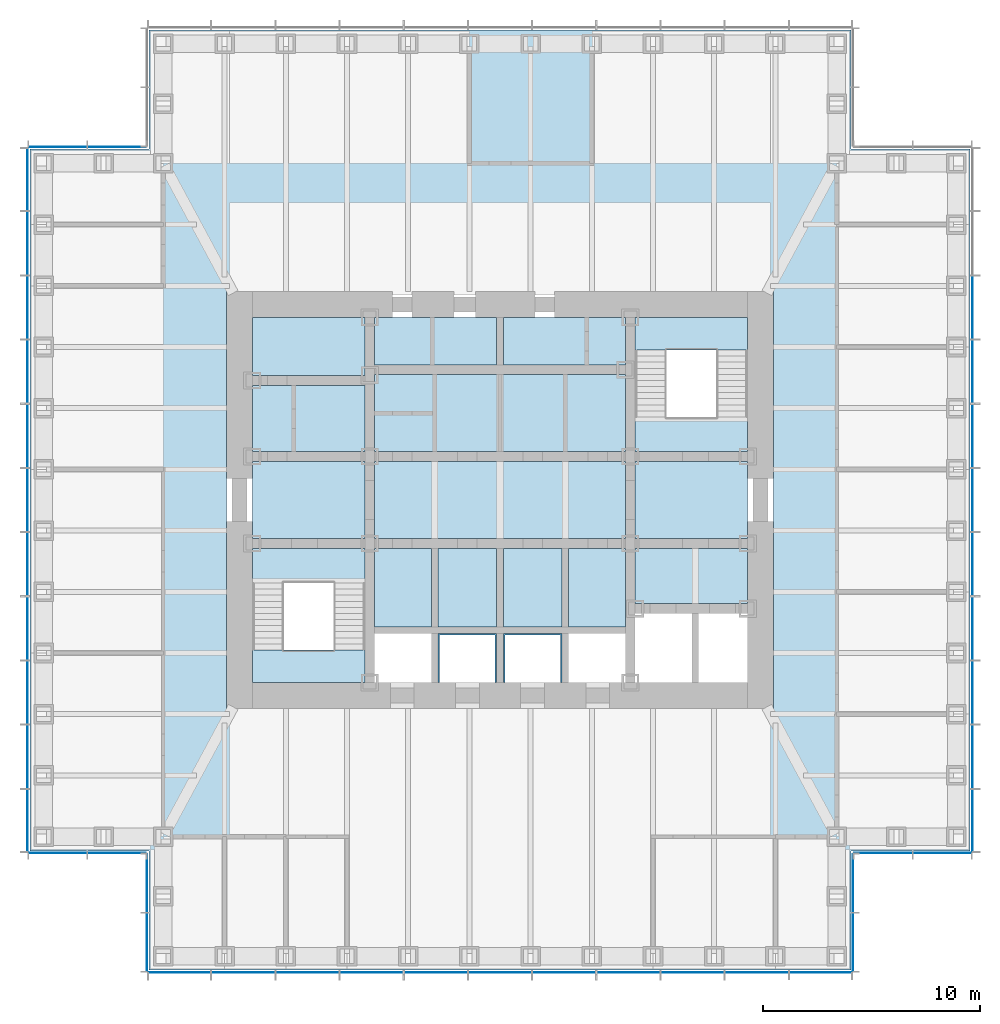
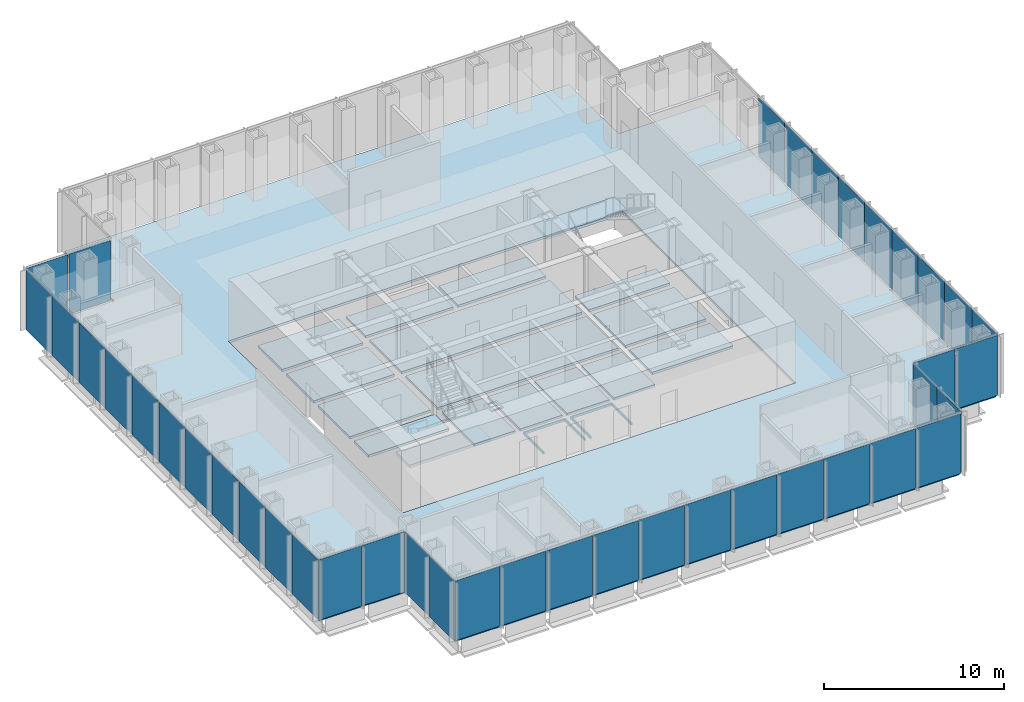
# One storey, part 7 of 16: 41 plates, 20 slabs, 10 elements without a shape of their own.
"""IFC4 building model written with IfcOpenShell, lengths in metres."""

from ifc_helpers import new_model, si_unit, direction, frame, origin, origin_2d, place, context, subcontext, project, spatial, polyline, rectangle, outline, extrude, material, layer, layer_set, type_object, element, aggregate, save


model = new_model("IFC4")

# Units and contexts
model_context = context("Model", 3, precision=1e-05, world=origin(), true_north=direction((0.0, 1.0)))
body_context = subcontext(model_context, "Body", "Model", "MODEL_VIEW")
ifc_project = project(units=[si_unit("LENGTHUNIT", "METRE"), si_unit("AREAUNIT", "SQUARE_METRE"), si_unit("VOLUMEUNIT", "CUBIC_METRE"), si_unit("PLANEANGLEUNIT", "RADIAN"), si_unit("MASSUNIT", "GRAM", prefix="KILO")], contexts=[model_context])

# Site, building, storey
site_placement = place(None, origin())
site = spatial("IfcSite", under=ifc_project, at=site_placement, CompositionType="ELEMENT")
building_placement = place(site_placement, origin())
building = spatial("IfcBuilding", under=site, at=building_placement, Name="Daluyong Arena Tower", CompositionType="ELEMENT")
storey_placement = place(building_placement, frame((0.0, 0.0, 198.10009765625)))
storey = spatial("IfcBuildingStorey", under=building, at=storey_placement, Name="L44", CompositionType="ELEMENT", Elevation=198.10009765625)

# Curtain wall, plates
ifc_material_1 = material(Name="Bronze anodised aluminium and glass", Category="aluminium")
curtain_wall_type_1 = type_object("IfcCurtainWallType", Name="Curtain wall CW3", PredefinedType="USERDEFINED", material=ifc_material_1)
curtain_wall_1_placement = place(storey_placement, origin())
curtain_wall_1 = element("IfcCurtainWall", 1, at=curtain_wall_1_placement, inside=storey, type_object=curtain_wall_type_1, Name="curtain wall L44 S", ObjectType="UNITISED CURTAIN WALL", PredefinedType="USERDEFINED")
ifc_material_2 = material(Name="Tinted double glazed unit", Category="glass")
ifc_layer_1 = layer(ifc_material_2, 0.030029296875)
ifc_layer_set_1 = layer_set([ifc_layer_1], Name="Tinted double glazed unit")
plate_type_1 = type_object("IfcPlateType", Name="CW3 panel 30", PredefinedType="CURTAIN_PANEL", material=ifc_layer_set_1)
plate_1_placement = place(storey_placement, frame((41.244873046875, 58.25, 0.0), z_axis=(0.0, 0.0, 1.0), x_axis=(1.0, 0.0, 0.0)))
plate_1 = element("IfcPlate", 2, at=plate_1_placement, type_object=plate_type_1, Name="curtain wall L44 S panel 1", PredefinedType="CURTAIN_PANEL", context=body_context, shape_type="SweptSolid", body=[
    extrude(rectangle(XDim=2.849609375, YDim=0.030029296875, at=origin_2d()), origin(), (0.0, 0.0, 1.0), 4.0400390625),
])
plate_2_placement = place(storey_placement, frame((44.181884765625, 58.25, 0.0), z_axis=(0.0, 0.0, 1.0), x_axis=(1.0, 0.0, 0.0)))
plate_2 = element("IfcPlate", 3, at=plate_2_placement, type_object=plate_type_1, Name="curtain wall L44 S panel 2", PredefinedType="CURTAIN_PANEL", context=body_context, shape_type="SweptSolid", body=[
    extrude(rectangle(XDim=2.884521484375, YDim=0.030029296875, at=origin_2d()), origin(), (0.0, 0.0, 1.0), 4.0400390625),
])
plate_3_placement = place(storey_placement, frame((47.136474609375, 58.25, 0.0), z_axis=(0.0, 0.0, 1.0), x_axis=(1.0, 0.0, 0.0)))
plate_3 = element("IfcPlate", 4, at=plate_3_placement, type_object=plate_type_1, Name="curtain wall L44 S panel 3", PredefinedType="CURTAIN_PANEL", context=body_context, shape_type="SweptSolid", body=[
    extrude(rectangle(XDim=2.884521484375, YDim=0.030029296875, at=origin_2d()), origin(), (0.0, 0.0, 1.0), 4.0400390625),
])
plate_4_placement = place(storey_placement, frame((50.0908203125, 58.25, 0.0), z_axis=(0.0, 0.0, 1.0), x_axis=(1.0, 0.0, 0.0)))
plate_4 = element("IfcPlate", 5, at=plate_4_placement, type_object=plate_type_1, Name="curtain wall L44 S panel 4", PredefinedType="CURTAIN_PANEL", context=body_context, shape_type="SweptSolid", body=[
    extrude(rectangle(XDim=2.884521484375, YDim=0.030029296875, at=origin_2d()), origin(), (0.0, 0.0, 1.0), 4.0400390625),
])
plate_5_placement = place(storey_placement, frame((53.04541015625, 58.25, 0.0), z_axis=(0.0, 0.0, 1.0), x_axis=(1.0, 0.0, 0.0)))
plate_5 = element("IfcPlate", 6, at=plate_5_placement, type_object=plate_type_1, Name="curtain wall L44 S panel 5", PredefinedType="CURTAIN_PANEL", context=body_context, shape_type="SweptSolid", body=[
    extrude(rectangle(XDim=2.884521484375, YDim=0.030029296875, at=origin_2d()), origin(), (0.0, 0.0, 1.0), 4.0400390625),
])
plate_6_placement = place(storey_placement, frame((56.0, 58.25, 0.0), z_axis=(0.0, 0.0, 1.0), x_axis=(1.0, 0.0, 0.0)))
plate_6 = element("IfcPlate", 7, at=plate_6_placement, type_object=plate_type_1, Name="curtain wall L44 S panel 6", PredefinedType="CURTAIN_PANEL", context=body_context, shape_type="SweptSolid", body=[
    extrude(rectangle(XDim=2.884521484375, YDim=0.030029296875, at=origin_2d()), origin(), (0.0, 0.0, 1.0), 4.0400390625),
])
plate_7_placement = place(storey_placement, frame((58.95458984375, 58.25, 0.0), z_axis=(0.0, 0.0, 1.0), x_axis=(1.0, 0.0, 0.0)))
plate_7 = element("IfcPlate", 8, at=plate_7_placement, type_object=plate_type_1, Name="curtain wall L44 S panel 7", PredefinedType="CURTAIN_PANEL", context=body_context, shape_type="SweptSolid", body=[
    extrude(rectangle(XDim=2.884521484375, YDim=0.030029296875, at=origin_2d()), origin(), (0.0, 0.0, 1.0), 4.0400390625),
])
plate_8_placement = place(storey_placement, frame((61.9091796875, 58.25, 0.0), z_axis=(0.0, 0.0, 1.0), x_axis=(1.0, 0.0, 0.0)))
plate_8 = element("IfcPlate", 9, at=plate_8_placement, type_object=plate_type_1, Name="curtain wall L44 S panel 8", PredefinedType="CURTAIN_PANEL", context=body_context, shape_type="SweptSolid", body=[
    extrude(rectangle(XDim=2.884521484375, YDim=0.030029296875, at=origin_2d()), origin(), (0.0, 0.0, 1.0), 4.0400390625),
])
plate_9_placement = place(storey_placement, frame((64.863525390625, 58.25, 0.0), z_axis=(0.0, 0.0, 1.0), x_axis=(1.0, 0.0, 0.0)))
plate_9 = element("IfcPlate", 10, at=plate_9_placement, type_object=plate_type_1, Name="curtain wall L44 S panel 9", PredefinedType="CURTAIN_PANEL", context=body_context, shape_type="SweptSolid", body=[
    extrude(rectangle(XDim=2.884521484375, YDim=0.030029296875, at=origin_2d()), origin(), (0.0, 0.0, 1.0), 4.0400390625),
])
plate_10_placement = place(storey_placement, frame((67.818115234375, 58.25, 0.0), z_axis=(0.0, 0.0, 1.0), x_axis=(1.0, 0.0, 0.0)))
plate_10 = element("IfcPlate", 11, at=plate_10_placement, type_object=plate_type_1, Name="curtain wall L44 S panel 10", PredefinedType="CURTAIN_PANEL", context=body_context, shape_type="SweptSolid", body=[
    extrude(rectangle(XDim=2.884521484375, YDim=0.030029296875, at=origin_2d()), origin(), (0.0, 0.0, 1.0), 4.0400390625),
])
plate_11_placement = place(storey_placement, frame((70.755126953125, 58.25, 0.0), z_axis=(0.0, 0.0, 1.0), x_axis=(1.0, 0.0, 0.0)))
plate_11 = element("IfcPlate", 12, at=plate_11_placement, type_object=plate_type_1, Name="curtain wall L44 S panel 11", PredefinedType="CURTAIN_PANEL", context=body_context, shape_type="SweptSolid", body=[
    extrude(rectangle(XDim=2.849609375, YDim=0.030029296875, at=origin_2d()), origin(), (0.0, 0.0, 1.0), 4.0400390625),
])
aggregate(curtain_wall_1, [plate_1, plate_2, plate_3, plate_4, plate_5, plate_6, plate_7, plate_8, plate_9, plate_10, plate_11])

curtain_wall_2_placement = place(storey_placement, origin())
curtain_wall_2 = element("IfcCurtainWall", 13, at=curtain_wall_2_placement, inside=storey, type_object=curtain_wall_type_1, Name="curtain wall L44 E", ObjectType="UNITISED CURTAIN WALL", PredefinedType="USERDEFINED")
plate_12_placement = place(storey_placement, frame((77.75, 65.244873046875, 0.0), z_axis=(0.0, 0.0, 1.0), x_axis=(0.0, 1.0, 0.0)))
plate_12 = element("IfcPlate", 14, at=plate_12_placement, type_object=plate_type_1, Name="curtain wall L44 E panel 1", PredefinedType="CURTAIN_PANEL", context=body_context, shape_type="SweptSolid", body=[
    extrude(rectangle(XDim=2.849609375, YDim=0.030029296875, at=origin_2d()), origin(), (0.0, 0.0, 1.0), 4.0400390625),
])
plate_13_placement = place(storey_placement, frame((77.75, 68.181884765625, 0.0), z_axis=(0.0, 0.0, 1.0), x_axis=(0.0, 1.0, 0.0)))
plate_13 = element("IfcPlate", 15, at=plate_13_placement, type_object=plate_type_1, Name="curtain wall L44 E panel 2", PredefinedType="CURTAIN_PANEL", context=body_context, shape_type="SweptSolid", body=[
    extrude(rectangle(XDim=2.884521484375, YDim=0.030029296875, at=origin_2d()), origin(), (0.0, 0.0, 1.0), 4.0400390625),
])
plate_14_placement = place(storey_placement, frame((77.75, 71.136474609375, 0.0), z_axis=(0.0, 0.0, 1.0), x_axis=(0.0, 1.0, 0.0)))
plate_14 = element("IfcPlate", 16, at=plate_14_placement, type_object=plate_type_1, Name="curtain wall L44 E panel 3", PredefinedType="CURTAIN_PANEL", context=body_context, shape_type="SweptSolid", body=[
    extrude(rectangle(XDim=2.884521484375, YDim=0.030029296875, at=origin_2d()), origin(), (0.0, 0.0, 1.0), 4.0400390625),
])
plate_15_placement = place(storey_placement, frame((77.75, 74.0908203125, 0.0), z_axis=(0.0, 0.0, 1.0), x_axis=(0.0, 1.0, 0.0)))
plate_15 = element("IfcPlate", 17, at=plate_15_placement, type_object=plate_type_1, Name="curtain wall L44 E panel 4", PredefinedType="CURTAIN_PANEL", context=body_context, shape_type="SweptSolid", body=[
    extrude(rectangle(XDim=2.884521484375, YDim=0.030029296875, at=origin_2d()), origin(), (0.0, 0.0, 1.0), 4.0400390625),
])
plate_16_placement = place(storey_placement, frame((77.75, 77.04541015625, 0.0), z_axis=(0.0, 0.0, 1.0), x_axis=(0.0, 1.0, 0.0)))
plate_16 = element("IfcPlate", 18, at=plate_16_placement, type_object=plate_type_1, Name="curtain wall L44 E panel 5", PredefinedType="CURTAIN_PANEL", context=body_context, shape_type="SweptSolid", body=[
    extrude(rectangle(XDim=2.884521484375, YDim=0.030029296875, at=origin_2d()), origin(), (0.0, 0.0, 1.0), 4.0400390625),
])
plate_17_placement = place(storey_placement, frame((77.75, 80.0, 0.0), z_axis=(0.0, 0.0, 1.0), x_axis=(0.0, 1.0, 0.0)))
plate_17 = element("IfcPlate", 19, at=plate_17_placement, type_object=plate_type_1, Name="curtain wall L44 E panel 6", PredefinedType="CURTAIN_PANEL", context=body_context, shape_type="SweptSolid", body=[
    extrude(rectangle(XDim=2.884521484375, YDim=0.030029296875, at=origin_2d()), origin(), (0.0, 0.0, 1.0), 4.0400390625),
])
plate_18_placement = place(storey_placement, frame((77.75, 82.95458984375, 0.0), z_axis=(0.0, 0.0, 1.0), x_axis=(0.0, 1.0, 0.0)))
plate_18 = element("IfcPlate", 20, at=plate_18_placement, type_object=plate_type_1, Name="curtain wall L44 E panel 7", PredefinedType="CURTAIN_PANEL", context=body_context, shape_type="SweptSolid", body=[
    extrude(rectangle(XDim=2.884521484375, YDim=0.030029296875, at=origin_2d()), origin(), (0.0, 0.0, 1.0), 4.0400390625),
])
plate_19_placement = place(storey_placement, frame((77.75, 85.9091796875, 0.0), z_axis=(0.0, 0.0, 1.0), x_axis=(0.0, 1.0, 0.0)))
plate_19 = element("IfcPlate", 21, at=plate_19_placement, type_object=plate_type_1, Name="curtain wall L44 E panel 8", PredefinedType="CURTAIN_PANEL", context=body_context, shape_type="SweptSolid", body=[
    extrude(rectangle(XDim=2.884521484375, YDim=0.030029296875, at=origin_2d()), origin(), (0.0, 0.0, 1.0), 4.0400390625),
])
plate_20_placement = place(storey_placement, frame((77.75, 88.863525390625, 0.0), z_axis=(0.0, 0.0, 1.0), x_axis=(0.0, 1.0, 0.0)))
plate_20 = element("IfcPlate", 22, at=plate_20_placement, type_object=plate_type_1, Name="curtain wall L44 E panel 9", PredefinedType="CURTAIN_PANEL", context=body_context, shape_type="SweptSolid", body=[
    extrude(rectangle(XDim=2.884521484375, YDim=0.030029296875, at=origin_2d()), origin(), (0.0, 0.0, 1.0), 4.0400390625),
])
aggregate(curtain_wall_2, [plate_12, plate_13, plate_14, plate_15, plate_16, plate_17, plate_18, plate_19, plate_20])

curtain_wall_3_placement = place(storey_placement, origin())
curtain_wall_3 = element("IfcCurtainWall", 23, at=curtain_wall_3_placement, inside=storey, type_object=curtain_wall_type_1, Name="curtain wall L44 W", ObjectType="UNITISED CURTAIN WALL", PredefinedType="USERDEFINED")
plate_21_placement = place(storey_placement, frame((34.25, 94.755126953125, 0.0), z_axis=(0.0, 0.0, 1.0), x_axis=(0.0, -1.0, 0.0)))
plate_21 = element("IfcPlate", 24, at=plate_21_placement, type_object=plate_type_1, Name="curtain wall L44 W panel 1", PredefinedType="CURTAIN_PANEL", context=body_context, shape_type="SweptSolid", body=[
    extrude(rectangle(XDim=2.849609375, YDim=0.030029296875, at=origin_2d()), origin(), (0.0, 0.0, 1.0), 4.0400390625),
])
plate_22_placement = place(storey_placement, frame((34.25, 91.818115234375, 0.0), z_axis=(0.0, 0.0, 1.0), x_axis=(0.0, -1.0, 0.0)))
plate_22 = element("IfcPlate", 25, at=plate_22_placement, type_object=plate_type_1, Name="curtain wall L44 W panel 2", PredefinedType="CURTAIN_PANEL", context=body_context, shape_type="SweptSolid", body=[
    extrude(rectangle(XDim=2.884521484375, YDim=0.030029296875, at=origin_2d()), origin(), (0.0, 0.0, 1.0), 4.0400390625),
])
plate_23_placement = place(storey_placement, frame((34.25, 88.863525390625, 0.0), z_axis=(0.0, 0.0, 1.0), x_axis=(0.0, -1.0, 0.0)))
plate_23 = element("IfcPlate", 26, at=plate_23_placement, type_object=plate_type_1, Name="curtain wall L44 W panel 3", PredefinedType="CURTAIN_PANEL", context=body_context, shape_type="SweptSolid", body=[
    extrude(rectangle(XDim=2.884521484375, YDim=0.030029296875, at=origin_2d()), origin(), (0.0, 0.0, 1.0), 4.0400390625),
])
plate_24_placement = place(storey_placement, frame((34.25, 85.9091796875, 0.0), z_axis=(0.0, 0.0, 1.0), x_axis=(0.0, -1.0, 0.0)))
plate_24 = element("IfcPlate", 27, at=plate_24_placement, type_object=plate_type_1, Name="curtain wall L44 W panel 4", PredefinedType="CURTAIN_PANEL", context=body_context, shape_type="SweptSolid", body=[
    extrude(rectangle(XDim=2.884521484375, YDim=0.030029296875, at=origin_2d()), origin(), (0.0, 0.0, 1.0), 4.0400390625),
])
plate_25_placement = place(storey_placement, frame((34.25, 82.95458984375, 0.0), z_axis=(0.0, 0.0, 1.0), x_axis=(0.0, -1.0, 0.0)))
plate_25 = element("IfcPlate", 28, at=plate_25_placement, type_object=plate_type_1, Name="curtain wall L44 W panel 5", PredefinedType="CURTAIN_PANEL", context=body_context, shape_type="SweptSolid", body=[
    extrude(rectangle(XDim=2.884521484375, YDim=0.030029296875, at=origin_2d()), origin(), (0.0, 0.0, 1.0), 4.0400390625),
])
plate_26_placement = place(storey_placement, frame((34.25, 80.0, 0.0), z_axis=(0.0, 0.0, 1.0), x_axis=(0.0, -1.0, 0.0)))
plate_26 = element("IfcPlate", 29, at=plate_26_placement, type_object=plate_type_1, Name="curtain wall L44 W panel 6", PredefinedType="CURTAIN_PANEL", context=body_context, shape_type="SweptSolid", body=[
    extrude(rectangle(XDim=2.884521484375, YDim=0.030029296875, at=origin_2d()), origin(), (0.0, 0.0, 1.0), 4.0400390625),
])
plate_27_placement = place(storey_placement, frame((34.25, 77.04541015625, 0.0), z_axis=(0.0, 0.0, 1.0), x_axis=(0.0, -1.0, 0.0)))
plate_27 = element("IfcPlate", 30, at=plate_27_placement, type_object=plate_type_1, Name="curtain wall L44 W panel 7", PredefinedType="CURTAIN_PANEL", context=body_context, shape_type="SweptSolid", body=[
    extrude(rectangle(XDim=2.884521484375, YDim=0.030029296875, at=origin_2d()), origin(), (0.0, 0.0, 1.0), 4.0400390625),
])
plate_28_placement = place(storey_placement, frame((34.25, 74.0908203125, 0.0), z_axis=(0.0, 0.0, 1.0), x_axis=(0.0, -1.0, 0.0)))
plate_28 = element("IfcPlate", 31, at=plate_28_placement, type_object=plate_type_1, Name="curtain wall L44 W panel 8", PredefinedType="CURTAIN_PANEL", context=body_context, shape_type="SweptSolid", body=[
    extrude(rectangle(XDim=2.884521484375, YDim=0.030029296875, at=origin_2d()), origin(), (0.0, 0.0, 1.0), 4.0400390625),
])
plate_29_placement = place(storey_placement, frame((34.25, 71.136474609375, 0.0), z_axis=(0.0, 0.0, 1.0), x_axis=(0.0, -1.0, 0.0)))
plate_29 = element("IfcPlate", 32, at=plate_29_placement, type_object=plate_type_1, Name="curtain wall L44 W panel 9", PredefinedType="CURTAIN_PANEL", context=body_context, shape_type="SweptSolid", body=[
    extrude(rectangle(XDim=2.884521484375, YDim=0.030029296875, at=origin_2d()), origin(), (0.0, 0.0, 1.0), 4.0400390625),
])
plate_30_placement = place(storey_placement, frame((34.25, 68.181884765625, 0.0), z_axis=(0.0, 0.0, 1.0), x_axis=(0.0, -1.0, 0.0)))
plate_30 = element("IfcPlate", 33, at=plate_30_placement, type_object=plate_type_1, Name="curtain wall L44 W panel 10", PredefinedType="CURTAIN_PANEL", context=body_context, shape_type="SweptSolid", body=[
    extrude(rectangle(XDim=2.884521484375, YDim=0.030029296875, at=origin_2d()), origin(), (0.0, 0.0, 1.0), 4.0400390625),
])
plate_31_placement = place(storey_placement, frame((34.25, 65.244873046875, 0.0), z_axis=(0.0, 0.0, 1.0), x_axis=(0.0, -1.0, 0.0)))
plate_31 = element("IfcPlate", 34, at=plate_31_placement, type_object=plate_type_1, Name="curtain wall L44 W panel 11", PredefinedType="CURTAIN_PANEL", context=body_context, shape_type="SweptSolid", body=[
    extrude(rectangle(XDim=2.849609375, YDim=0.030029296875, at=origin_2d()), origin(), (0.0, 0.0, 1.0), 4.0400390625),
])
aggregate(curtain_wall_3, [plate_21, plate_22, plate_23, plate_24, plate_25, plate_26, plate_27, plate_28, plate_29, plate_30, plate_31])

ifc_material_3 = material(Name="Bronze anodised aluminium and glass", Category="aluminium")
curtain_wall_type_2 = type_object("IfcCurtainWallType", Name="Curtain wall CW7", PredefinedType="USERDEFINED", material=ifc_material_3)
curtain_wall_4_placement = place(storey_placement, origin())
curtain_wall_4 = element("IfcCurtainWall", 35, at=curtain_wall_4_placement, inside=storey, type_object=curtain_wall_type_2, Name="curtain wall L44 SE-E", ObjectType="UNITISED CURTAIN WALL", PredefinedType="USERDEFINED")
ifc_material_4 = material(Name="Tinted double glazed unit", Category="glass")
ifc_layer_2 = layer(ifc_material_4, 0.028076171875)
ifc_layer_set_2 = layer_set([ifc_layer_2], Name="Tinted double glazed unit")
plate_type_2 = type_object("IfcPlateType", Name="CW7 panel 28", PredefinedType="CURTAIN_PANEL", material=ifc_layer_set_2)
plate_32_placement = place(storey_placement, frame((72.25, 59.639892578125, -0.000244140625), z_axis=(0.0, 0.0, 1.0), x_axis=(0.0, 1.0, 0.0)))
plate_32 = element("IfcPlate", 36, at=plate_32_placement, type_object=plate_type_2, Name="curtain wall L44 SE-E panel 1", PredefinedType="CURTAIN_PANEL", context=body_context, shape_type="SweptSolid", body=[
    extrude(rectangle(XDim=2.659912109375, YDim=0.028076171875, at=origin_2d()), origin(), (0.0, 0.0, 1.0), 4.080078125),
])
plate_33_placement = place(storey_placement, frame((72.25, 62.360107421875, -0.000244140625), z_axis=(0.0, 0.0, 1.0), x_axis=(0.0, 1.0, 0.0)))
plate_33 = element("IfcPlate", 37, at=plate_33_placement, type_object=plate_type_2, Name="curtain wall L44 SE-E panel 2", PredefinedType="CURTAIN_PANEL", context=body_context, shape_type="SweptSolid", body=[
    extrude(rectangle(XDim=2.659912109375, YDim=0.028076171875, at=origin_2d()), origin(), (0.0, 0.0, 1.0), 4.080078125),
])
aggregate(curtain_wall_4, [plate_32, plate_33])

curtain_wall_5_placement = place(storey_placement, origin())
curtain_wall_5 = element("IfcCurtainWall", 38, at=curtain_wall_5_placement, inside=storey, type_object=curtain_wall_type_2, Name="curtain wall L44 SE-S", ObjectType="UNITISED CURTAIN WALL", PredefinedType="USERDEFINED")
plate_34_placement = place(storey_placement, frame((73.639892578125, 63.75, -0.000244140625), z_axis=(0.0, 0.0, 1.0), x_axis=(1.0, 0.0, 0.0)))
plate_34 = element("IfcPlate", 39, at=plate_34_placement, type_object=plate_type_2, Name="curtain wall L44 SE-S panel 1", PredefinedType="CURTAIN_PANEL", context=body_context, shape_type="SweptSolid", body=[
    extrude(rectangle(XDim=2.659912109375, YDim=0.028076171875, at=origin_2d()), origin(), (0.0, 0.0, 1.0), 4.080078125),
])
plate_35_placement = place(storey_placement, frame((76.360107421875, 63.75, -0.000244140625), z_axis=(0.0, 0.0, 1.0), x_axis=(1.0, 0.0, 0.0)))
plate_35 = element("IfcPlate", 40, at=plate_35_placement, type_object=plate_type_2, Name="curtain wall L44 SE-S panel 2", PredefinedType="CURTAIN_PANEL", context=body_context, shape_type="SweptSolid", body=[
    extrude(rectangle(XDim=2.659912109375, YDim=0.028076171875, at=origin_2d()), origin(), (0.0, 0.0, 1.0), 4.080078125),
])
aggregate(curtain_wall_5, [plate_34, plate_35])

curtain_wall_6_placement = place(storey_placement, origin())
curtain_wall_6 = element("IfcCurtainWall", 41, at=curtain_wall_6_placement, inside=storey, type_object=curtain_wall_type_2, Name="curtain wall L44 NW-N", ObjectType="UNITISED CURTAIN WALL", PredefinedType="USERDEFINED")
plate_36_placement = place(storey_placement, frame((38.360107421875, 96.25, -0.000244140625), z_axis=(0.0, 0.0, 1.0), x_axis=(-1.0, 0.0, 0.0)))
plate_36 = element("IfcPlate", 42, at=plate_36_placement, type_object=plate_type_2, Name="curtain wall L44 NW-N panel 1", PredefinedType="CURTAIN_PANEL", context=body_context, shape_type="SweptSolid", body=[
    extrude(rectangle(XDim=2.659912109375, YDim=0.028076171875, at=origin_2d()), origin(), (0.0, 0.0, 1.0), 4.080078125),
])
plate_37_placement = place(storey_placement, frame((35.639892578125, 96.25, -0.000244140625), z_axis=(0.0, 0.0, 1.0), x_axis=(-1.0, 0.0, 0.0)))
plate_37 = element("IfcPlate", 43, at=plate_37_placement, type_object=plate_type_2, Name="curtain wall L44 NW-N panel 2", PredefinedType="CURTAIN_PANEL", context=body_context, shape_type="SweptSolid", body=[
    extrude(rectangle(XDim=2.659912109375, YDim=0.028076171875, at=origin_2d()), origin(), (0.0, 0.0, 1.0), 4.080078125),
])
aggregate(curtain_wall_6, [plate_36, plate_37])

curtain_wall_7_placement = place(storey_placement, origin())
curtain_wall_7 = element("IfcCurtainWall", 44, at=curtain_wall_7_placement, inside=storey, type_object=curtain_wall_type_2, Name="curtain wall L44 SW-S", ObjectType="UNITISED CURTAIN WALL", PredefinedType="USERDEFINED")
plate_38_placement = place(storey_placement, frame((35.639892578125, 63.75, -0.000244140625), z_axis=(0.0, 0.0, 1.0), x_axis=(1.0, 0.0, 0.0)))
plate_38 = element("IfcPlate", 45, at=plate_38_placement, type_object=plate_type_2, Name="curtain wall L44 SW-S panel 1", PredefinedType="CURTAIN_PANEL", context=body_context, shape_type="SweptSolid", body=[
    extrude(rectangle(XDim=2.659912109375, YDim=0.028076171875, at=origin_2d()), origin(), (0.0, 0.0, 1.0), 4.080078125),
])
plate_39_placement = place(storey_placement, frame((38.360107421875, 63.75, -0.000244140625), z_axis=(0.0, 0.0, 1.0), x_axis=(1.0, 0.0, 0.0)))
plate_39 = element("IfcPlate", 46, at=plate_39_placement, type_object=plate_type_2, Name="curtain wall L44 SW-S panel 2", PredefinedType="CURTAIN_PANEL", context=body_context, shape_type="SweptSolid", body=[
    extrude(rectangle(XDim=2.659912109375, YDim=0.028076171875, at=origin_2d()), origin(), (0.0, 0.0, 1.0), 4.080078125),
])
aggregate(curtain_wall_7, [plate_38, plate_39])

curtain_wall_8_placement = place(storey_placement, origin())
curtain_wall_8 = element("IfcCurtainWall", 47, at=curtain_wall_8_placement, inside=storey, type_object=curtain_wall_type_2, Name="curtain wall L44 SW-W", ObjectType="UNITISED CURTAIN WALL", PredefinedType="USERDEFINED")
plate_40_placement = place(storey_placement, frame((39.75, 62.360107421875, -0.000244140625), z_axis=(0.0, 0.0, 1.0), x_axis=(0.0, -1.0, 0.0)))
plate_40 = element("IfcPlate", 48, at=plate_40_placement, type_object=plate_type_2, Name="curtain wall L44 SW-W panel 1", PredefinedType="CURTAIN_PANEL", context=body_context, shape_type="SweptSolid", body=[
    extrude(rectangle(XDim=2.659912109375, YDim=0.028076171875, at=origin_2d()), origin(), (0.0, 0.0, 1.0), 4.080078125),
])
plate_41_placement = place(storey_placement, frame((39.75, 59.639892578125, -0.000244140625), z_axis=(0.0, 0.0, 1.0), x_axis=(0.0, -1.0, 0.0)))
plate_41 = element("IfcPlate", 49, at=plate_41_placement, type_object=plate_type_2, Name="curtain wall L44 SW-W panel 2", PredefinedType="CURTAIN_PANEL", context=body_context, shape_type="SweptSolid", body=[
    extrude(rectangle(XDim=2.659912109375, YDim=0.028076171875, at=origin_2d()), origin(), (0.0, 0.0, 1.0), 4.080078125),
])
aggregate(curtain_wall_8, [plate_40, plate_41])

# Stair, slab
ifc_material_5 = material(Name="Concrete fc' 35 MPa", Category="concrete")
stair_type = type_object("IfcStairType", Name="Core exit stair", PredefinedType="HALF_TURN_STAIR", material=ifc_material_5)
stair_1_placement = place(storey_placement, origin())
stair_1 = element("IfcStair", 50, at=stair_1_placement, inside=storey, type_object=stair_type, Name="exit stair A L44", PredefinedType="HALF_TURN_STAIR")
ifc_material_6 = material(Name="Concrete fc' 35 MPa", Category="concrete")
ifc_layer_3 = layer(ifc_material_6, 0.199951171875)
ifc_layer_set_3 = layer_set([ifc_layer_3], Name="Concrete fc' 35 MPa")
slab_type_1 = type_object("IfcSlabType", Name="Stair landing 200", PredefinedType="LANDING", material=ifc_layer_set_3)
slab_1_placement = place(storey_placement, frame((0.0, 0.0, 1.89990234375)))
slab_1 = element("IfcSlab", 51, at=slab_1_placement, type_object=slab_type_1, Name="STA landing 1", PredefinedType="LANDING", context=body_context, shape_type="SweptSolid", body=[
    extrude(outline(polyline([(44.60009765625, 71.60009765625), (49.77490234375, 71.60009765625), (49.77490234375, 73.094970703125), (44.60009765625, 73.094970703125), (44.60009765625, 71.60009765625)])), origin(), (0.0, 0.0, 1.0), 0.199951171875),
])
aggregate(stair_1, [slab_1])

stair_2_placement = place(storey_placement, origin())
stair_2 = element("IfcStair", 52, at=stair_2_placement, inside=storey, type_object=stair_type, Name="exit stair B L44", PredefinedType="HALF_TURN_STAIR")
slab_2_placement = place(storey_placement, frame((0.0, 0.0, 1.89990234375)))
slab_2 = element("IfcSlab", 53, at=slab_2_placement, type_object=slab_type_1, Name="STB landing 1", PredefinedType="LANDING", context=body_context, shape_type="SweptSolid", body=[
    extrude(outline(polyline([(62.22509765625, 86.905029296875), (67.39990234375, 86.905029296875), (67.39990234375, 88.39990234375), (62.22509765625, 88.39990234375), (62.22509765625, 86.905029296875)])), origin(), (0.0, 0.0, 1.0), 0.199951171875),
])
aggregate(stair_2, [slab_2])

# Slabs
ifc_material_7 = material(Name="Concrete fc' 35 MPa", Category="concrete")
ifc_layer_4 = layer(ifc_material_7, 0.159912109375)
ifc_layer_set_4 = layer_set([ifc_layer_4], Name="Concrete fc' 35 MPa")
slab_type_2 = type_object("IfcSlabType", Name="Tower floor slab 160", PredefinedType="FLOOR", material=ifc_layer_set_4)
slab_3_placement = place(storey_placement, frame((0.0, 0.0, -0.16015625)))
element("IfcSlab", 54, at=slab_3_placement, inside=storey, type_object=slab_type_2, Name="floor L44 part 1", PredefinedType="FLOOR", context=body_context, shape_type="SweptSolid", body=[
    extrude(outline(polyline([(49.77490234375, 77.77490234375), (44.60009765625, 77.77490234375), (44.60009765625, 76.175048828125), (49.77490234375, 76.175048828125), (49.77490234375, 77.77490234375)])), origin(), (0.0, 0.0, 1.0), 0.16015625),
])
slab_4_placement = place(storey_placement, frame((0.0, 0.0, -0.16015625)))
element("IfcSlab", 55, at=slab_4_placement, inside=storey, type_object=slab_type_2, Name="floor L44 part 2", PredefinedType="FLOOR", context=body_context, shape_type="SweptSolid", body=[
    extrude(outline(polyline([(49.77490234375, 78.22509765625), (49.77490234375, 81.77490234375), (44.60009765625, 81.77490234375), (44.60009765625, 78.22509765625), (49.77490234375, 78.22509765625)])), origin(), (0.0, 0.0, 1.0), 0.16015625),
])
slab_5_placement = place(storey_placement, frame((0.0, 0.0, -0.16015625)))
element("IfcSlab", 56, at=slab_5_placement, inside=storey, type_object=slab_type_2, Name="floor L44 part 3", PredefinedType="FLOOR", context=body_context, shape_type="SweptSolid", body=[
    extrude(outline(polyline([(44.60009765625, 85.27490234375), (44.60009765625, 82.22509765625), (49.77490234375, 82.22509765625), (49.77490234375, 85.27490234375), (44.60009765625, 85.27490234375)])), origin(), (0.0, 0.0, 1.0), 0.16015625),
])
slab_6_placement = place(storey_placement, frame((0.0, 0.0, -0.16015625)))
element("IfcSlab", 57, at=slab_6_placement, inside=storey, type_object=slab_type_2, Name="floor L44 part 4", PredefinedType="FLOOR", context=body_context, shape_type="SweptSolid", body=[
    extrude(outline(polyline([(44.60009765625, 88.39990234375), (44.60009765625, 85.72509765625), (49.77490234375, 85.72509765625), (49.77490234375, 88.39990234375), (44.60009765625, 88.39990234375)])), origin(), (0.0, 0.0, 1.0), 0.16015625),
])
slab_7_placement = place(storey_placement, frame((0.0, 0.0, -0.16015625)))
element("IfcSlab", 58, at=slab_7_placement, inside=storey, type_object=slab_type_2, Name="floor L44 part 5", PredefinedType="FLOOR", context=body_context, shape_type="SweptSolid", body=[
    extrude(outline(polyline([(52.85009765625, 74.14990234375), (52.85009765625, 77.77490234375), (50.22509765625, 77.77490234375), (50.22509765625, 74.14990234375), (52.85009765625, 74.14990234375)])), origin(), (0.0, 0.0, 1.0), 0.16015625),
])
slab_8_placement = place(storey_placement, frame((0.0, 0.0, -0.16015625)))
element("IfcSlab", 59, at=slab_8_placement, inside=storey, type_object=slab_type_2, Name="floor L44 part 6", PredefinedType="FLOOR", context=body_context, shape_type="SweptSolid", body=[
    extrude(outline(polyline([(50.22509765625, 88.39990234375), (50.22509765625, 86.22509765625), (55.85009765625, 86.22509765625), (55.85009765625, 88.39990234375), (50.22509765625, 88.39990234375)])), origin(), (0.0, 0.0, 1.0), 0.16015625),
])
slab_9_placement = place(storey_placement, frame((0.0, 0.0, -0.16015625)))
element("IfcSlab", 60, at=slab_9_placement, inside=storey, type_object=slab_type_2, Name="floor L44 part 7", PredefinedType="FLOOR", context=body_context, shape_type="SweptSolid", body=[
    extrude(outline(polyline([(53.22509765625, 71.60009765625), (53.22509765625, 73.77490234375), (55.77490234375, 73.77490234375), (55.77490234375, 71.60009765625), (55.85009765625, 71.60009765625), (55.85009765625, 73.85009765625), (53.14990234375, 73.85009765625), (53.14990234375, 71.60009765625), (53.22509765625, 71.60009765625)])), origin(), (0.0, 0.0, 1.0), 0.16015625),
])
slab_10_placement = place(storey_placement, frame((0.0, 0.0, -0.16015625)))
element("IfcSlab", 61, at=slab_10_placement, inside=storey, type_object=slab_type_2, Name="floor L44 part 8", PredefinedType="FLOOR", context=body_context, shape_type="SweptSolid", body=[
    extrude(outline(polyline([(53.14990234375, 74.14990234375), (55.85009765625, 74.14990234375), (55.85009765625, 77.77490234375), (53.14990234375, 77.77490234375), (53.14990234375, 74.14990234375)])), origin(), (0.0, 0.0, 1.0), 0.16015625),
])
slab_11_placement = place(storey_placement, frame((0.0, 0.0, -0.16015625)))
element("IfcSlab", 62, at=slab_11_placement, inside=storey, type_object=slab_type_2, Name="floor L44 part 9", PredefinedType="FLOOR", context=body_context, shape_type="SweptSolid", body=[
    extrude(outline(polyline([(39.85009765625, 63.85009765625), (39.85009765625, 58.35009765625), (72.14990234375, 58.35009765625), (72.14990234375, 63.85009765625), (77.64990234375, 63.85009765625), (77.64990234375, 96.14990234375), (72.14990234375, 96.14990234375), (72.14990234375, 101.64990234375), (39.85009765625, 101.64990234375), (39.85009765625, 96.14990234375), (34.35009765625, 96.14990234375), (34.35009765625, 63.85009765625), (39.85009765625, 63.85009765625)]), holes=[polyline([(68.60009765625, 89.60009765625), (68.60009765625, 70.39990234375), (43.39990234375, 70.39990234375), (43.39990234375, 89.60009765625), (68.60009765625, 89.60009765625)])]), origin(), (0.0, 0.0, 1.0), 0.16015625),
])
slab_12_placement = place(storey_placement, frame((0.0, 0.0, -0.16015625)))
element("IfcSlab", 63, at=slab_12_placement, inside=storey, type_object=slab_type_2, Name="floor L44 part 10", PredefinedType="FLOOR", context=body_context, shape_type="SweptSolid", body=[
    extrude(outline(polyline([(50.22509765625, 81.77490234375), (50.22509765625, 78.22509765625), (61.77490234375, 78.22509765625), (61.77490234375, 81.77490234375), (50.22509765625, 81.77490234375)])), origin(), (0.0, 0.0, 1.0), 0.16015625),
])
slab_13_placement = place(storey_placement, frame((0.0, 0.0, -0.16015625)))
element("IfcSlab", 64, at=slab_13_placement, inside=storey, type_object=slab_type_2, Name="floor L44 part 11", PredefinedType="FLOOR", context=body_context, shape_type="SweptSolid", body=[
    extrude(outline(polyline([(50.22509765625, 85.77490234375), (50.22509765625, 82.22509765625), (61.77490234375, 82.22509765625), (61.77490234375, 85.77490234375), (50.22509765625, 85.77490234375)])), origin(), (0.0, 0.0, 1.0), 0.16015625),
])
slab_14_placement = place(storey_placement, frame((0.0, 0.0, -0.16015625)))
element("IfcSlab", 65, at=slab_14_placement, inside=storey, type_object=slab_type_2, Name="floor L44 part 12", PredefinedType="FLOOR", context=body_context, shape_type="SweptSolid", body=[
    extrude(outline(polyline([(56.22509765625, 71.60009765625), (56.22509765625, 73.77490234375), (58.77490234375, 73.77490234375), (58.77490234375, 71.60009765625), (58.85009765625, 71.60009765625), (58.85009765625, 73.85009765625), (56.14990234375, 73.85009765625), (56.14990234375, 71.60009765625), (56.22509765625, 71.60009765625)])), origin(), (0.0, 0.0, 1.0), 0.16015625),
])
slab_15_placement = place(storey_placement, frame((0.0, 0.0, -0.16015625)))
element("IfcSlab", 66, at=slab_15_placement, inside=storey, type_object=slab_type_2, Name="floor L44 part 13", PredefinedType="FLOOR", context=body_context, shape_type="SweptSolid", body=[
    extrude(outline(polyline([(58.85009765625, 77.77490234375), (56.14990234375, 77.77490234375), (56.14990234375, 74.14990234375), (58.85009765625, 74.14990234375), (58.85009765625, 77.77490234375)])), origin(), (0.0, 0.0, 1.0), 0.16015625),
])
slab_16_placement = place(storey_placement, frame((0.0, 0.0, -0.16015625)))
element("IfcSlab", 67, at=slab_16_placement, inside=storey, type_object=slab_type_2, Name="floor L44 part 14", PredefinedType="FLOOR", context=body_context, shape_type="SweptSolid", body=[
    extrude(outline(polyline([(56.14990234375, 88.39990234375), (56.14990234375, 86.22509765625), (61.77490234375, 86.22509765625), (61.77490234375, 88.39990234375), (56.14990234375, 88.39990234375)])), origin(), (0.0, 0.0, 1.0), 0.16015625),
])
slab_17_placement = place(storey_placement, frame((0.0, 0.0, -0.16015625)))
element("IfcSlab", 68, at=slab_17_placement, inside=storey, type_object=slab_type_2, Name="floor L44 part 15", PredefinedType="FLOOR", context=body_context, shape_type="SweptSolid", body=[
    extrude(outline(polyline([(61.77490234375, 77.77490234375), (59.14990234375, 77.77490234375), (59.14990234375, 74.14990234375), (61.77490234375, 74.14990234375), (61.77490234375, 77.77490234375)])), origin(), (0.0, 0.0, 1.0), 0.16015625),
])
slab_18_placement = place(storey_placement, frame((0.0, 0.0, -0.16015625)))
element("IfcSlab", 69, at=slab_18_placement, inside=storey, type_object=slab_type_2, Name="floor L44 part 16", PredefinedType="FLOOR", context=body_context, shape_type="SweptSolid", body=[
    extrude(outline(polyline([(67.39990234375, 75.22509765625), (67.39990234375, 77.77490234375), (62.22509765625, 77.77490234375), (62.22509765625, 75.22509765625), (67.39990234375, 75.22509765625)])), origin(), (0.0, 0.0, 1.0), 0.16015625),
])
slab_19_placement = place(storey_placement, frame((0.0, 0.0, -0.16015625)))
element("IfcSlab", 70, at=slab_19_placement, inside=storey, type_object=slab_type_2, Name="floor L44 part 17", PredefinedType="FLOOR", context=body_context, shape_type="SweptSolid", body=[
    extrude(outline(polyline([(67.39990234375, 78.22509765625), (67.39990234375, 81.77490234375), (62.22509765625, 81.77490234375), (62.22509765625, 78.22509765625), (67.39990234375, 78.22509765625)])), origin(), (0.0, 0.0, 1.0), 0.16015625),
])
slab_20_placement = place(storey_placement, frame((0.0, 0.0, -0.16015625)))
element("IfcSlab", 71, at=slab_20_placement, inside=storey, type_object=slab_type_2, Name="floor L44 part 18", PredefinedType="FLOOR", context=body_context, shape_type="SweptSolid", body=[
    extrude(outline(polyline([(67.39990234375, 83.824951171875), (62.22509765625, 83.824951171875), (62.22509765625, 82.22509765625), (67.39990234375, 82.22509765625), (67.39990234375, 83.824951171875)])), origin(), (0.0, 0.0, 1.0), 0.16015625),
])

save(model, "model.ifc")
